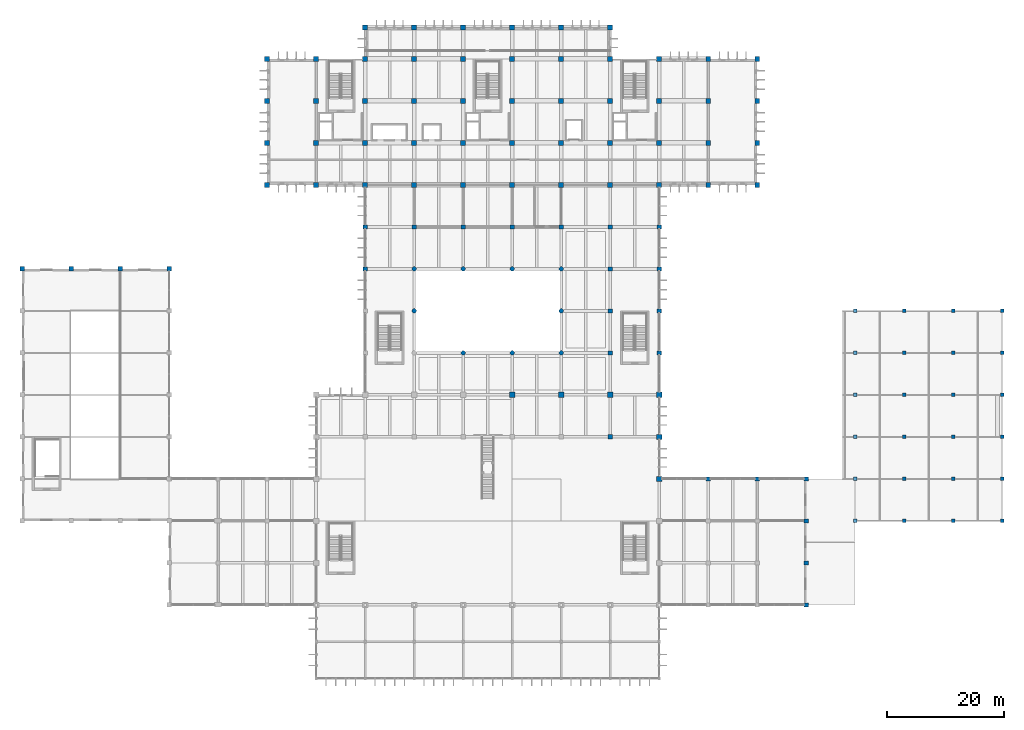
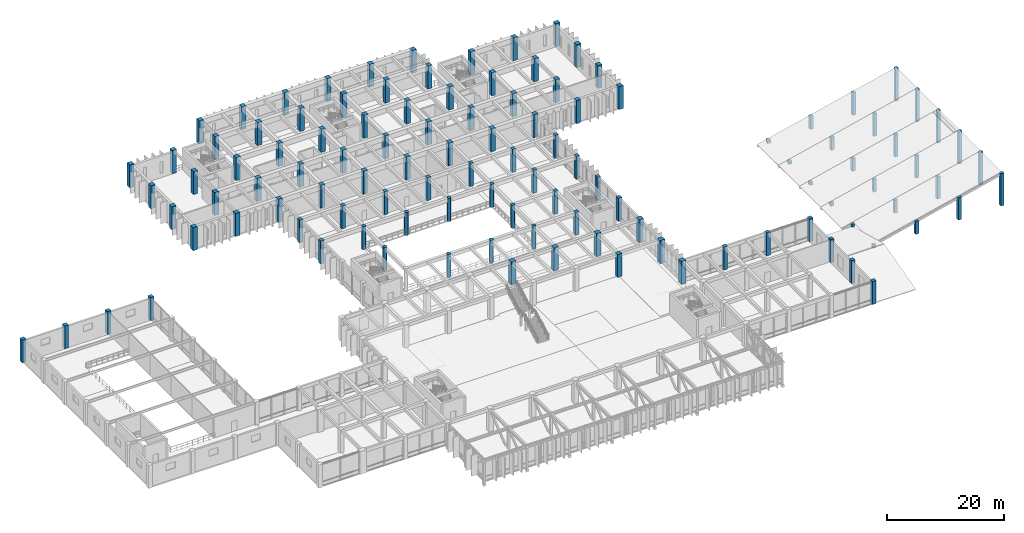
# One storey, part 3 of 51: 114 columns.
"""IFC4 building model written with IfcOpenShell, lengths in metres."""

from ifc_helpers import new_model, si_unit, direction, frame, origin, origin_2d, place, context, subcontext, project, spatial, rectangle, circle, extrude, material, material_profile, profile_set, type_object, element, save


model = new_model("IFC4")

# Units and contexts
model_context = context("Model", 3, precision=1e-05, world=origin(), true_north=direction((0.0, 1.0)))
body_context = subcontext(model_context, "Body", "Model", "MODEL_VIEW")
ifc_project = project(units=[si_unit("LENGTHUNIT", "METRE"), si_unit("AREAUNIT", "SQUARE_METRE"), si_unit("VOLUMEUNIT", "CUBIC_METRE"), si_unit("PLANEANGLEUNIT", "RADIAN"), si_unit("MASSUNIT", "GRAM", prefix="KILO")], contexts=[model_context])

# Site, building, storey
site_placement = place(None, origin())
site = spatial("IfcSite", under=ifc_project, at=site_placement, CompositionType="ELEMENT")
building_placement = place(site_placement, origin())
building = spatial("IfcBuilding", under=site, at=building_placement, Name="Kenerak Square Central Library", CompositionType="ELEMENT")
storey_placement = place(building_placement, frame((0.0, 0.0, 9.60009765625)))
storey = spatial("IfcBuildingStorey", under=building, at=storey_placement, Name="L02", CompositionType="ELEMENT", Elevation=9.60009765625)

# Columns
ifc_material_1 = material(Name="Concrete C40/50", Category="concrete")
ifc_material_profile_1 = material_profile(ifc_material_1, circle(Radius=0.375, at=origin_2d()), Name="RC D750")
ifc_profile_set_1 = profile_set([ifc_material_profile_1], Name="Concrete C40/50")
column_type_1 = type_object("IfcColumnType", Name="Atrium Column C-13 RC D750 C40/50", PredefinedType="COLUMN", material=ifc_profile_set_1)
for number, where, z_axis, x_axis, name in (
    (1, (75.199951171875, 67.199951171875, 0.0), (0.0, 0.0, 1.0), (1.0, 0.0, 0.0), "Column C-13 L02 9/K"),
    (2, (75.199951171875, 74.39990234375, 0.0), (0.0, 0.0, 1.0), (1.0, 0.0, 0.0), "Column C-13 L02 9/L"),
    (3, (83.60009765625, 60.0, 0.0), (0.0, 0.0, 1.0), (1.0, 0.0, 0.0), "Column C-13 L02 10/J"),
    (4, (83.60009765625, 74.39990234375, 0.0), (0.0, 0.0, 1.0), (1.0, 0.0, 0.0), "Column C-13 L02 10/L"),
    (5, (92.0, 60.0, 0.0), (0.0, 0.0, 1.0), (1.0, 0.0, 0.0), "Column C-13 L02 11/J"),
    (6, (92.0, 74.39990234375, 0.0), (0.0, 0.0, 1.0), (1.0, 0.0, 0.0), "Column C-13 L02 11/L"),
    (7, (100.39990234375, 60.0, 0.0), (0.0, 0.0, 1.0), (1.0, 0.0, 0.0), "Column C-13 L02 12/J"),
    (8, (100.39990234375, 67.199951171875, 0.0), (0.0, 0.0, 1.0), (1.0, 0.0, 0.0), "Column C-13 L02 12/K"),
    (9, (100.39990234375, 74.39990234375, 0.0), (0.0, 0.0, 1.0), (1.0, 0.0, 0.0), "Column C-13 L02 12/L"),
):
    element("IfcColumn", number, at=place(storey_placement, frame(where, z_axis=z_axis, x_axis=x_axis)), inside=storey, type_object=column_type_1, Name=name, PredefinedType="COLUMN", context=body_context, shape_type="SweptSolid", body=[
        extrude(circle(Radius=0.375, at=origin_2d()), origin(), (0.0, 0.0, 1.0), 4.7998046875),
    ])
ifc_material_2 = material(Name="Concrete C45/55", Category="concrete")
ifc_material_profile_2 = material_profile(ifc_material_2, rectangle(XDim=0.89990234375, YDim=0.89990234375, at=origin_2d()), Name="RC 900x900")
ifc_profile_set_2 = profile_set([ifc_material_profile_2], Name="Concrete C45/55")
column_type_2 = type_object("IfcColumnType", Name="Column C-02 RC 900x900 C45/55", PredefinedType="COLUMN", material=ifc_profile_set_2)
for number, where, z_axis, x_axis, name in (
    (10, (92.0, 52.800048828125, 0.0), (0.0, 0.0, 1.0), (1.0, 0.0, 0.0), "Column C-02 L02 11/H"),
    (11, (100.39990234375, 52.800048828125, 0.0), (0.0, 0.0, 1.0), (1.0, 0.0, 0.0), "Column C-02 L02 12/H"),
    (12, (108.800048828125, 52.800048828125, 0.0), (0.0, 0.0, 1.0), (1.0, 0.0, 0.0), "Column C-02 L02 13/H"),
    (13, (117.199951171875, 38.39990234375, 0.0), (0.0, 0.0, 1.0), (1.0, 0.0, 0.0), "Column C-02 L02 14/F"),
    (14, (117.199951171875, 45.60009765625, 0.0), (0.0, 0.0, 1.0), (1.0, 0.0, 0.0), "Column C-02 L02 14/G"),
    (15, (117.199951171875, 52.800048828125, 0.0), (0.0, 0.0, 1.0), (1.0, 0.0, 0.0), "Column C-02 L02 14/H"),
):
    element("IfcColumn", number, at=place(storey_placement, frame(where, z_axis=z_axis, x_axis=x_axis)), inside=storey, type_object=column_type_2, Name=name, PredefinedType="COLUMN", context=body_context, shape_type="SweptSolid", body=[
        extrude(rectangle(XDim=0.89990234375, YDim=0.89990234375, at=origin_2d()), origin(), (0.0, 0.0, 1.0), 4.7998046875),
    ])
ifc_material_profile_3 = material_profile(ifc_material_2, rectangle(XDim=0.85009765625, YDim=0.85009765625, at=origin_2d()), Name="RC 850x850")
ifc_profile_set_3 = profile_set([ifc_material_profile_3], Name="Concrete C45/55")
column_type_3 = type_object("IfcColumnType", Name="Column C-03 RC 850x850 C45/55", PredefinedType="COLUMN", material=ifc_profile_set_3)
for number, where, z_axis, x_axis, name in (
    (16, (50.0, 88.800048828125, 0.0), (0.0, 0.0, 1.0), (1.0, 0.0, 0.0), "Column C-03 L02 6/N"),
    (17, (50.0, 96.0, 0.0), (0.0, 0.0, 1.0), (1.0, 0.0, 0.0), "Column C-03 L02 6/P"),
    (18, (50.0, 103.199951171875, 0.0), (0.0, 0.0, 1.0), (1.0, 0.0, 0.0), "Column C-03 L02 6/Q"),
    (19, (50.0, 110.39990234375, 0.0), (0.0, 0.0, 1.0), (1.0, 0.0, 0.0), "Column C-03 L02 6/R"),
    (20, (58.39990234375, 88.800048828125, 0.0), (0.0, 0.0, 1.0), (1.0, 0.0, 0.0), "Column C-03 L02 7/N"),
    (21, (58.39990234375, 96.0, 0.0), (0.0, 0.0, 1.0), (1.0, 0.0, 0.0), "Column C-03 L02 7/P"),
    (22, (58.39990234375, 103.199951171875, 0.0), (0.0, 0.0, 1.0), (1.0, 0.0, 0.0), "Column C-03 L02 7/Q"),
    (23, (58.39990234375, 110.39990234375, 0.0), (0.0, 0.0, 1.0), (1.0, 0.0, 0.0), "Column C-03 L02 7/R"),
    (24, (66.800048828125, 88.800048828125, 0.0), (0.0, 0.0, 1.0), (1.0, 0.0, 0.0), "Column C-03 L02 8/N"),
    (25, (66.800048828125, 96.0, 0.0), (0.0, 0.0, 1.0), (1.0, 0.0, 0.0), "Column C-03 L02 8/P"),
    (26, (66.800048828125, 103.199951171875, 0.0), (0.0, 0.0, 1.0), (1.0, 0.0, 0.0), "Column C-03 L02 8/Q"),
    (27, (66.800048828125, 110.39990234375, 0.0), (0.0, 0.0, 1.0), (1.0, 0.0, 0.0), "Column C-03 L02 8/R"),
    (28, (66.800048828125, 115.800048828125, 0.0), (0.0, 0.0, 1.0), (1.0, 0.0, 0.0), "Column C-03 L02 8/S"),
    (29, (75.199951171875, 88.800048828125, 0.0), (0.0, 0.0, 1.0), (1.0, 0.0, 0.0), "Column C-03 L02 9/N"),
    (30, (75.199951171875, 96.0, 0.0), (0.0, 0.0, 1.0), (1.0, 0.0, 0.0), "Column C-03 L02 9/P"),
    (31, (75.199951171875, 103.199951171875, 0.0), (0.0, 0.0, 1.0), (1.0, 0.0, 0.0), "Column C-03 L02 9/Q"),
    (32, (75.199951171875, 110.39990234375, 0.0), (0.0, 0.0, 1.0), (1.0, 0.0, 0.0), "Column C-03 L02 9/R"),
    (33, (75.199951171875, 115.800048828125, 0.0), (0.0, 0.0, 1.0), (1.0, 0.0, 0.0), "Column C-03 L02 9/S"),
    (34, (83.60009765625, 88.800048828125, 0.0), (0.0, 0.0, 1.0), (1.0, 0.0, 0.0), "Column C-03 L02 10/N"),
    (35, (83.60009765625, 96.0, 0.0), (0.0, 0.0, 1.0), (1.0, 0.0, 0.0), "Column C-03 L02 10/P"),
    (36, (83.60009765625, 103.199951171875, 0.0), (0.0, 0.0, 1.0), (1.0, 0.0, 0.0), "Column C-03 L02 10/Q"),
    (37, (83.60009765625, 110.39990234375, 0.0), (0.0, 0.0, 1.0), (1.0, 0.0, 0.0), "Column C-03 L02 10/R"),
    (38, (83.60009765625, 115.800048828125, 0.0), (0.0, 0.0, 1.0), (1.0, 0.0, 0.0), "Column C-03 L02 10/S"),
    (39, (92.0, 88.800048828125, 0.0), (0.0, 0.0, 1.0), (1.0, 0.0, 0.0), "Column C-03 L02 11/N"),
    (40, (92.0, 96.0, 0.0), (0.0, 0.0, 1.0), (1.0, 0.0, 0.0), "Column C-03 L02 11/P"),
    (41, (92.0, 103.199951171875, 0.0), (0.0, 0.0, 1.0), (1.0, 0.0, 0.0), "Column C-03 L02 11/Q"),
    (42, (92.0, 110.39990234375, 0.0), (0.0, 0.0, 1.0), (1.0, 0.0, 0.0), "Column C-03 L02 11/R"),
    (43, (92.0, 115.800048828125, 0.0), (0.0, 0.0, 1.0), (1.0, 0.0, 0.0), "Column C-03 L02 11/S"),
    (44, (100.39990234375, 88.800048828125, 0.0), (0.0, 0.0, 1.0), (1.0, 0.0, 0.0), "Column C-03 L02 12/N"),
    (45, (100.39990234375, 96.0, 0.0), (0.0, 0.0, 1.0), (1.0, 0.0, 0.0), "Column C-03 L02 12/P"),
    (46, (100.39990234375, 103.199951171875, 0.0), (0.0, 0.0, 1.0), (1.0, 0.0, 0.0), "Column C-03 L02 12/Q"),
    (47, (100.39990234375, 110.39990234375, 0.0), (0.0, 0.0, 1.0), (1.0, 0.0, 0.0), "Column C-03 L02 12/R"),
    (48, (100.39990234375, 115.800048828125, 0.0), (0.0, 0.0, 1.0), (1.0, 0.0, 0.0), "Column C-03 L02 12/S"),
    (49, (108.800048828125, 88.800048828125, 0.0), (0.0, 0.0, 1.0), (1.0, 0.0, 0.0), "Column C-03 L02 13/N"),
    (50, (108.800048828125, 96.0, 0.0), (0.0, 0.0, 1.0), (1.0, 0.0, 0.0), "Column C-03 L02 13/P"),
    (51, (108.800048828125, 103.199951171875, 0.0), (0.0, 0.0, 1.0), (1.0, 0.0, 0.0), "Column C-03 L02 13/Q"),
    (52, (108.800048828125, 110.39990234375, 0.0), (0.0, 0.0, 1.0), (1.0, 0.0, 0.0), "Column C-03 L02 13/R"),
    (53, (108.800048828125, 115.800048828125, 0.0), (0.0, 0.0, 1.0), (1.0, 0.0, 0.0), "Column C-03 L02 13/S"),
    (54, (117.199951171875, 88.800048828125, 0.0), (0.0, 0.0, 1.0), (1.0, 0.0, 0.0), "Column C-03 L02 14/N"),
    (55, (117.199951171875, 96.0, 0.0), (0.0, 0.0, 1.0), (1.0, 0.0, 0.0), "Column C-03 L02 14/P"),
    (56, (117.199951171875, 103.199951171875, 0.0), (0.0, 0.0, 1.0), (1.0, 0.0, 0.0), "Column C-03 L02 14/Q"),
    (57, (117.199951171875, 110.39990234375, 0.0), (0.0, 0.0, 1.0), (1.0, 0.0, 0.0), "Column C-03 L02 14/R"),
    (58, (125.60009765625, 88.800048828125, 0.0), (0.0, 0.0, 1.0), (1.0, 0.0, 0.0), "Column C-03 L02 15/N"),
    (59, (125.60009765625, 96.0, 0.0), (0.0, 0.0, 1.0), (1.0, 0.0, 0.0), "Column C-03 L02 15/P"),
    (60, (125.60009765625, 103.199951171875, 0.0), (0.0, 0.0, 1.0), (1.0, 0.0, 0.0), "Column C-03 L02 15/Q"),
    (61, (125.60009765625, 110.39990234375, 0.0), (0.0, 0.0, 1.0), (1.0, 0.0, 0.0), "Column C-03 L02 15/R"),
    (62, (134.0, 88.800048828125, 0.0), (0.0, 0.0, 1.0), (1.0, 0.0, 0.0), "Column C-03 L02 16/N"),
    (63, (134.0, 96.0, 0.0), (0.0, 0.0, 1.0), (1.0, 0.0, 0.0), "Column C-03 L02 16/P"),
    (64, (134.0, 103.199951171875, 0.0), (0.0, 0.0, 1.0), (1.0, 0.0, 0.0), "Column C-03 L02 16/Q"),
    (65, (134.0, 110.39990234375, 0.0), (0.0, 0.0, 1.0), (1.0, 0.0, 0.0), "Column C-03 L02 16/R"),
):
    element("IfcColumn", number, at=place(storey_placement, frame(where, z_axis=z_axis, x_axis=x_axis)), inside=storey, type_object=column_type_3, Name=name, PredefinedType="COLUMN", context=body_context, shape_type="SweptSolid", body=[
        extrude(rectangle(XDim=0.85009765625, YDim=0.85009765625, at=origin_2d()), origin(), (0.0, 0.0, 1.0), 4.7998046875),
    ])
ifc_material_profile_4 = material_profile(ifc_material_2, rectangle(XDim=0.800048828125, YDim=0.800048828125, at=origin_2d()), Name="RC 800x800")
ifc_profile_set_4 = profile_set([ifc_material_profile_4], Name="Concrete C45/55")
column_type_4 = type_object("IfcColumnType", Name="Column C-04 RC 800x800 C45/55", PredefinedType="COLUMN", material=ifc_profile_set_4)
column_placement = place(storey_placement, frame((108.800048828125, 45.60009765625, 0.0), z_axis=(0.0, 0.0, 1.0), x_axis=(1.0, 0.0, 0.0)))
element("IfcColumn", 66, at=column_placement, inside=storey, type_object=column_type_4, Name="Column C-04 L02 13/G", PredefinedType="COLUMN", context=body_context, shape_type="SweptSolid", body=[
    extrude(rectangle(XDim=0.800048828125, YDim=0.800048828125, at=origin_2d()), origin(), (0.0, 0.0, 1.0), 4.7998046875),
])
ifc_material_profile_5 = material_profile(ifc_material_1, rectangle(XDim=0.75, YDim=0.75, at=origin_2d()), Name="RC 750x750")
ifc_profile_set_5 = profile_set([ifc_material_profile_5], Name="Concrete C40/50")
column_type_5 = type_object("IfcColumnType", Name="Column C-05 RC 750x750 C40/50", PredefinedType="COLUMN", material=ifc_profile_set_5)
for number, where, z_axis, x_axis, name in (
    (67, (8.0, 74.39990234375, 0.0), (0.0, 0.0, 1.0), (1.0, 0.0, 0.0), "Column C-05 L02 1/L"),
    (68, (16.39990234375, 74.39990234375, 0.0), (0.0, 0.0, 1.0), (1.0, 0.0, 0.0), "Column C-05 L02 2/L"),
    (69, (24.800048828125, 74.39990234375, 0.0), (0.0, 0.0, 1.0), (1.0, 0.0, 0.0), "Column C-05 L02 3/L"),
    (70, (33.199951171875, 74.39990234375, 0.0), (0.0, 0.0, 1.0), (1.0, 0.0, 0.0), "Column C-05 L02 4/L"),
):
    element("IfcColumn", number, at=place(storey_placement, frame(where, z_axis=z_axis, x_axis=x_axis)), inside=storey, type_object=column_type_5, Name=name, PredefinedType="COLUMN", context=body_context, shape_type="SweptSolid", body=[
        extrude(rectangle(XDim=0.75, YDim=0.75, at=origin_2d()), origin(), (0.0, 0.0, 1.0), 4.7998046875),
    ])
ifc_material_profile_6 = material_profile(ifc_material_1, rectangle(XDim=0.699951171875, YDim=0.699951171875, at=origin_2d()), Name="RC 700x700")
ifc_profile_set_6 = profile_set([ifc_material_profile_6], Name="Concrete C40/50")
column_type_6 = type_object("IfcColumnType", Name="Column C-06 RC 700x700 C40/50", PredefinedType="COLUMN", material=ifc_profile_set_6)
for number, where, z_axis, x_axis, name in (
    (71, (66.800048828125, 74.39990234375, 0.0), (0.0, 0.0, 1.0), (1.0, 0.0, 0.0), "Column C-06 L02 8/L"),
    (72, (66.800048828125, 81.60009765625, 0.0), (0.0, 0.0, 1.0), (1.0, 0.0, 0.0), "Column C-06 L02 8/M"),
    (73, (75.199951171875, 81.60009765625, 0.0), (0.0, 0.0, 1.0), (1.0, 0.0, 0.0), "Column C-06 L02 9/M"),
    (74, (83.60009765625, 81.60009765625, 0.0), (0.0, 0.0, 1.0), (1.0, 0.0, 0.0), "Column C-06 L02 10/M"),
    (75, (92.0, 81.60009765625, 0.0), (0.0, 0.0, 1.0), (1.0, 0.0, 0.0), "Column C-06 L02 11/M"),
    (76, (100.39990234375, 81.60009765625, 0.0), (0.0, 0.0, 1.0), (1.0, 0.0, 0.0), "Column C-06 L02 12/M"),
    (77, (108.800048828125, 60.0, 0.0), (0.0, 0.0, 1.0), (1.0, 0.0, 0.0), "Column C-06 L02 13/J"),
    (78, (108.800048828125, 67.199951171875, 0.0), (0.0, 0.0, 1.0), (1.0, 0.0, 0.0), "Column C-06 L02 13/K"),
    (79, (108.800048828125, 74.39990234375, 0.0), (0.0, 0.0, 1.0), (1.0, 0.0, 0.0), "Column C-06 L02 13/L"),
    (80, (108.800048828125, 81.60009765625, 0.0), (0.0, 0.0, 1.0), (1.0, 0.0, 0.0), "Column C-06 L02 13/M"),
    (81, (117.199951171875, 60.0, 0.0), (0.0, 0.0, 1.0), (1.0, 0.0, 0.0), "Column C-06 L02 14/J"),
    (82, (117.199951171875, 67.199951171875, 0.0), (0.0, 0.0, 1.0), (1.0, 0.0, 0.0), "Column C-06 L02 14/K"),
    (83, (117.199951171875, 74.39990234375, 0.0), (0.0, 0.0, 1.0), (1.0, 0.0, 0.0), "Column C-06 L02 14/L"),
    (84, (117.199951171875, 81.60009765625, 0.0), (0.0, 0.0, 1.0), (1.0, 0.0, 0.0), "Column C-06 L02 14/M"),
    (85, (125.60009765625, 38.39990234375, 0.0), (0.0, 0.0, 1.0), (1.0, 0.0, 0.0), "Column C-06 L02 15/F"),
    (86, (134.0, 38.39990234375, 0.0), (0.0, 0.0, 1.0), (1.0, 0.0, 0.0), "Column C-06 L02 16/F"),
    (87, (142.39990234375, 16.800048828125, 0.0), (0.0, 0.0, 1.0), (1.0, 0.0, 0.0), "Column C-06 L02 17/C"),
    (88, (142.39990234375, 24.0, 0.0), (0.0, 0.0, 1.0), (1.0, 0.0, 0.0), "Column C-06 L02 17/D"),
    (89, (142.39990234375, 31.199951171875, 0.0), (0.0, 0.0, 1.0), (1.0, 0.0, 0.0), "Column C-06 L02 17/E"),
    (90, (142.39990234375, 38.39990234375, 0.0), (0.0, 0.0, 1.0), (1.0, 0.0, 0.0), "Column C-06 L02 17/F"),
):
    element("IfcColumn", number, at=place(storey_placement, frame(where, z_axis=z_axis, x_axis=x_axis)), inside=storey, type_object=column_type_6, Name=name, PredefinedType="COLUMN", context=body_context, shape_type="SweptSolid", body=[
        extrude(rectangle(XDim=0.699951171875, YDim=0.699951171875, at=origin_2d()), origin(), (0.0, 0.0, 1.0), 4.7998046875),
    ])
ifc_material_profile_7 = material_profile(ifc_material_1, rectangle(XDim=0.60009765625, YDim=0.60009765625, at=origin_2d()), Name="RC 600x600")
ifc_profile_set_7 = profile_set([ifc_material_profile_7], Name="Concrete C40/50")
column_type_7 = type_object("IfcColumnType", Name="Column C-08 RC 600x600 C40/50", PredefinedType="COLUMN", material=ifc_profile_set_7)
for number, where, z_axis, x_axis, name in (
    (91, (150.800048828125, 31.199951171875, 0.0), (0.0, 0.0, 1.0), (1.0, 0.0, 0.0), "Pavilion Roof Column 18/E"),
    (92, (150.800048828125, 38.39990234375, 0.0), (0.0, 0.0, 1.0), (1.0, 0.0, 0.0), "Pavilion Roof Column 18/F"),
    (93, (150.800048828125, 45.60009765625, 0.0), (0.0, 0.0, 1.0), (1.0, 0.0, 0.0), "Pavilion Roof Column 18/G"),
    (94, (150.800048828125, 52.800048828125, 0.0), (0.0, 0.0, 1.0), (1.0, 0.0, 0.0), "Pavilion Roof Column 18/H"),
    (95, (150.800048828125, 60.0, 0.0), (0.0, 0.0, 1.0), (1.0, 0.0, 0.0), "Pavilion Roof Column 18/J"),
    (96, (150.800048828125, 67.199951171875, 0.0), (0.0, 0.0, 1.0), (1.0, 0.0, 0.0), "Pavilion Roof Column 18/K"),
):
    element("IfcColumn", number, at=place(storey_placement, frame(where, z_axis=z_axis, x_axis=x_axis)), inside=storey, type_object=column_type_7, Name=name, PredefinedType="COLUMN", context=body_context, shape_type="SweptSolid", body=[
        extrude(rectangle(XDim=0.60009765625, YDim=0.60009765625, at=origin_2d()), origin(), (0.0, 0.0, 1.0), 0.679931640625),
    ])
for number, where, z_axis, x_axis, name in (
    (97, (159.199951171875, 31.199951171875, 0.0), (0.0, 0.0, 1.0), (1.0, 0.0, 0.0), "Pavilion Roof Column 19/E"),
    (98, (159.199951171875, 38.39990234375, 0.0), (0.0, 0.0, 1.0), (1.0, 0.0, 0.0), "Pavilion Roof Column 19/F"),
    (99, (159.199951171875, 45.60009765625, 0.0), (0.0, 0.0, 1.0), (1.0, 0.0, 0.0), "Pavilion Roof Column 19/G"),
    (100, (159.199951171875, 52.800048828125, 0.0), (0.0, 0.0, 1.0), (1.0, 0.0, 0.0), "Pavilion Roof Column 19/H"),
    (101, (159.199951171875, 60.0, 0.0), (0.0, 0.0, 1.0), (1.0, 0.0, 0.0), "Pavilion Roof Column 19/J"),
    (102, (159.199951171875, 67.199951171875, 0.0), (0.0, 0.0, 1.0), (1.0, 0.0, 0.0), "Pavilion Roof Column 19/K"),
):
    element("IfcColumn", number, at=place(storey_placement, frame(where, z_axis=z_axis, x_axis=x_axis)), inside=storey, type_object=column_type_7, Name=name, PredefinedType="COLUMN", context=body_context, shape_type="SweptSolid", body=[
        extrude(rectangle(XDim=0.60009765625, YDim=0.60009765625, at=origin_2d()), origin(), (0.0, 0.0, 1.0), 2.679931640625),
    ])
for number, where, z_axis, x_axis, name in (
    (103, (167.60009765625, 31.199951171875, 0.0), (0.0, 0.0, 1.0), (1.0, 0.0, 0.0), "Pavilion Roof Column 20/E"),
    (104, (167.60009765625, 38.39990234375, 0.0), (0.0, 0.0, 1.0), (1.0, 0.0, 0.0), "Pavilion Roof Column 20/F"),
    (105, (167.60009765625, 45.60009765625, 0.0), (0.0, 0.0, 1.0), (1.0, 0.0, 0.0), "Pavilion Roof Column 20/G"),
    (106, (167.60009765625, 52.800048828125, 0.0), (0.0, 0.0, 1.0), (1.0, 0.0, 0.0), "Pavilion Roof Column 20/H"),
    (107, (167.60009765625, 60.0, 0.0), (0.0, 0.0, 1.0), (1.0, 0.0, 0.0), "Pavilion Roof Column 20/J"),
    (108, (167.60009765625, 67.199951171875, 0.0), (0.0, 0.0, 1.0), (1.0, 0.0, 0.0), "Pavilion Roof Column 20/K"),
):
    element("IfcColumn", number, at=place(storey_placement, frame(where, z_axis=z_axis, x_axis=x_axis)), inside=storey, type_object=column_type_7, Name=name, PredefinedType="COLUMN", context=body_context, shape_type="SweptSolid", body=[
        extrude(rectangle(XDim=0.60009765625, YDim=0.60009765625, at=origin_2d()), origin(), (0.0, 0.0, 1.0), 4.679931640625),
    ])
for number, where, z_axis, x_axis, name in (
    (109, (176.0, 31.199951171875, 0.0), (0.0, 0.0, 1.0), (1.0, 0.0, 0.0), "Pavilion Roof Column 21/E"),
    (110, (176.0, 38.39990234375, 0.0), (0.0, 0.0, 1.0), (1.0, 0.0, 0.0), "Pavilion Roof Column 21/F"),
    (111, (176.0, 45.60009765625, 0.0), (0.0, 0.0, 1.0), (1.0, 0.0, 0.0), "Pavilion Roof Column 21/G"),
    (112, (176.0, 52.800048828125, 0.0), (0.0, 0.0, 1.0), (1.0, 0.0, 0.0), "Pavilion Roof Column 21/H"),
    (113, (176.0, 60.0, 0.0), (0.0, 0.0, 1.0), (1.0, 0.0, 0.0), "Pavilion Roof Column 21/J"),
    (114, (176.0, 67.199951171875, 0.0), (0.0, 0.0, 1.0), (1.0, 0.0, 0.0), "Pavilion Roof Column 21/K"),
):
    element("IfcColumn", number, at=place(storey_placement, frame(where, z_axis=z_axis, x_axis=x_axis)), inside=storey, type_object=column_type_7, Name=name, PredefinedType="COLUMN", context=body_context, shape_type="SweptSolid", body=[
        extrude(rectangle(XDim=0.60009765625, YDim=0.60009765625, at=origin_2d()), origin(), (0.0, 0.0, 1.0), 6.77978515625),
    ])

save(model, "model.ifc")
